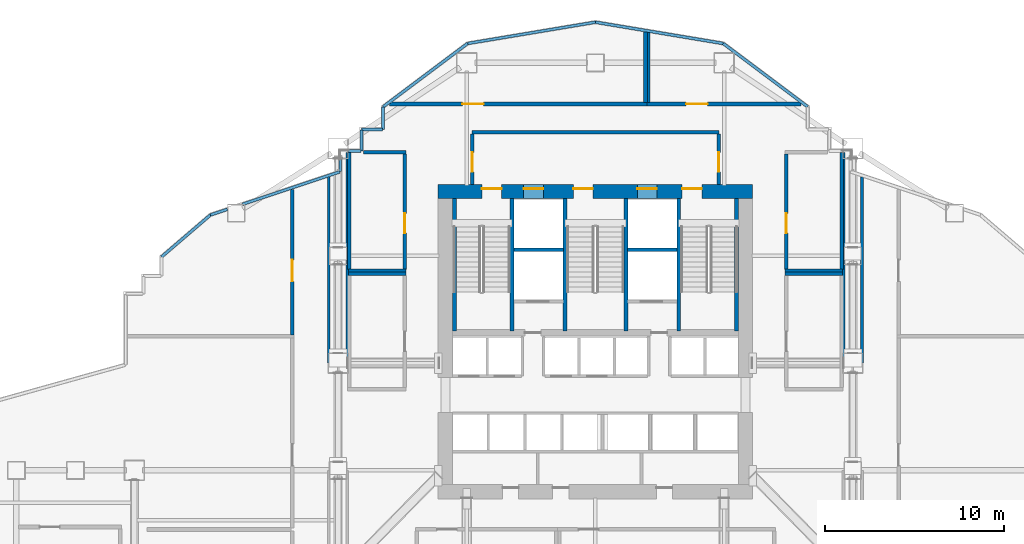
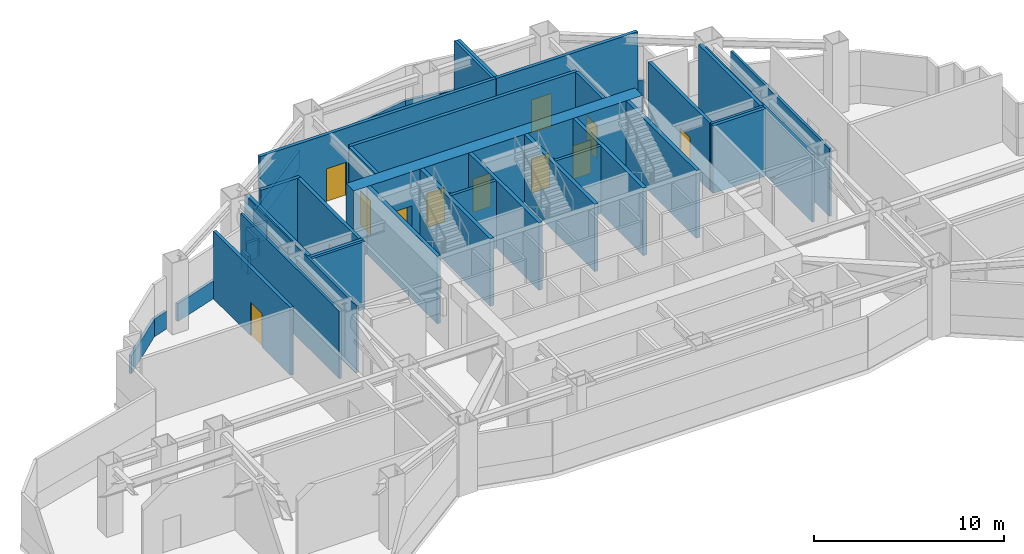
# One storey, part 15 of 23: 42 walls, 12 doors, 12 openings.
"""IFC4 building model written with IfcOpenShell, lengths in metres."""

from ifc_helpers import new_model, si_unit, direction, frame, frame_2d, origin, place, context, subcontext, project, spatial, rectangle, extrude, material, layer, layer_set, type_object, element, fill, save


model = new_model("IFC4")

# Units and contexts
model_context = context("Model", 3, precision=1e-05, world=origin(), true_north=direction((0.0, 1.0)))
body_context = subcontext(model_context, "Body", "Model", "MODEL_VIEW")
ifc_project = project(units=[si_unit("LENGTHUNIT", "METRE"), si_unit("AREAUNIT", "SQUARE_METRE"), si_unit("VOLUMEUNIT", "CUBIC_METRE"), si_unit("PLANEANGLEUNIT", "RADIAN"), si_unit("MASSUNIT", "GRAM", prefix="KILO")], contexts=[model_context])

# Site, building, storey
site_placement = place(None, origin())
site = spatial("IfcSite", under=ifc_project, at=site_placement, CompositionType="ELEMENT")
building_placement = place(site_placement, origin())
building = spatial("IfcBuilding", under=site, at=building_placement, Name="Haolan Belvedere Tower", CompositionType="ELEMENT")
storey_placement = place(building_placement, frame((0.0, 0.0, 89.39990234375)))
storey = spatial("IfcBuildingStorey", under=building, at=storey_placement, Name="L22", CompositionType="ELEMENT", Elevation=89.39990234375)

# Wall, openings, doors
ifc_material_1 = material(Name="Concrete C70/85", Category="concrete")
ifc_layer_1 = layer(ifc_material_1, 0.800048828125, Name="Concrete C70/85")
ifc_layer_set_1 = layer_set([ifc_layer_1], Name="Concrete C70/85")
wall_type_1 = type_object("IfcWallType", Name="WL-CORE-800", PredefinedType="SHEAR", material=ifc_layer_set_1)
wall_1_placement = place(storey_placement, frame((29.60009765625, 43.199951171875, 0.0), z_axis=(0.0, 0.0, 1.0), x_axis=(1.0, 0.0, 0.0)))
wall_1 = element("IfcWall", 1, at=wall_1_placement, inside=storey, type_object=wall_type_1, Name="L22 central core north shear wall", PredefinedType="SHEAR", context=body_context, shape_type="SweptSolid", body=[
    extrude(rectangle(XDim=17.599853515625, YDim=0.800048828125, at=frame_2d((8.7998046875, 0.0))), origin(), (0.0, 0.0, 1.0), 4.35009765625),
])
opening_1_placement = place(wall_1_placement, frame((2.449951171875, 0.0, 0.0)))
opening_1 = element("IfcOpeningElement", 2, at=opening_1_placement, cuts=wall_1, Name="Opening FD-03", PredefinedType="OPENING", context=body_context, shape_type="SweptSolid", body=[
    extrude(rectangle(XDim=1.10009765625, YDim=2.14990234375, at=frame_2d((0.550048828125, 1.074951171875))), frame((0.0, 0.409912109375, 0.0), z_axis=(0.0, -1.0, 0.0), x_axis=(1.0, 0.0, 0.0)), (0.0, 0.0, 1.0), 0.820068359375),
])
opening_2_placement = place(wall_1_placement, frame((7.56005859375, 0.0, 0.0)))
opening_2 = element("IfcOpeningElement", 3, at=opening_2_placement, cuts=wall_1, Name="Opening FD-03", PredefinedType="OPENING", context=body_context, shape_type="SweptSolid", body=[
    extrude(rectangle(XDim=1.10009765625, YDim=2.14990234375, at=frame_2d((0.550048828125, 1.074951171875))), frame((0.0, 0.409912109375, 0.0), z_axis=(0.0, -1.0, 0.0), x_axis=(1.0, 0.0, 0.0)), (0.0, 0.0, 1.0), 0.820068359375),
])
opening_3_placement = place(wall_1_placement, frame((13.64990234375, 0.0, 0.0)))
opening_3 = element("IfcOpeningElement", 4, at=opening_3_placement, cuts=wall_1, Name="Opening FD-03", PredefinedType="OPENING", context=body_context, shape_type="SweptSolid", body=[
    extrude(rectangle(XDim=1.10009765625, YDim=2.14990234375, at=frame_2d((0.550048828125, 1.074951171875))), frame((0.0, 0.409912109375, 0.0), z_axis=(0.0, -1.0, 0.0), x_axis=(1.0, 0.0, 0.0)), (0.0, 0.0, 1.0), 0.820068359375),
])
opening_4_placement = place(wall_1_placement, frame((4.780029296875, 0.0, 0.0)))
opening_4 = element("IfcOpeningElement", 5, at=opening_4_placement, cuts=wall_1, Name="Opening LD-01", PredefinedType="OPENING", context=body_context, shape_type="SweptSolid", body=[
    extrude(rectangle(XDim=1.10009765625, YDim=2.199951171875, at=frame_2d((0.550048828125, 1.10009765625))), frame((0.0, 0.409912109375, 0.0), z_axis=(0.0, -1.0, 0.0), x_axis=(1.0, 0.0, 0.0)), (0.0, 0.0, 1.0), 0.820068359375),
])
opening_5_placement = place(wall_1_placement, frame((11.139892578125, 0.0, 0.0)))
opening_5 = element("IfcOpeningElement", 6, at=opening_5_placement, cuts=wall_1, Name="Opening LD-01", PredefinedType="OPENING", context=body_context, shape_type="SweptSolid", body=[
    extrude(rectangle(XDim=1.10009765625, YDim=2.199951171875, at=frame_2d((0.550048828125, 1.10009765625))), frame((0.0, 0.409912109375, 0.0), z_axis=(0.0, -1.0, 0.0), x_axis=(1.0, 0.0, 0.0)), (0.0, 0.0, 1.0), 0.820068359375),
])
ifc_material_2 = material(Name="Galvanised fire-rated steel", Category="steel")
door_type_1 = type_object("IfcDoorType", Name="DR-FD90-1100", OperationType="NOTDEFINED", PredefinedType="DOOR", material=ifc_material_2)
door_1_placement = place(opening_1_placement, origin())
door_1 = element("IfcDoor", 7, at=door_1_placement, inside=storey, type_object=door_type_1, Name="L22 door CD-L22-ST1", OperationType="SINGLE_SWING_LEFT", OverallHeight=2.14990234375, OverallWidth=1.10009765625, PredefinedType="DOOR", context=body_context, shape_type="SweptSolid", body=[
    extrude(rectangle(XDim=1.10009765625, YDim=2.14990234375, at=frame_2d((0.550048828125, 1.074951171875))), frame((0.0, 0.18505859375, 0.0), z_axis=(0.0, -1.0, 0.0), x_axis=(1.0, 0.0, 0.0)), (0.0, 0.0, 1.0), 0.050048828125),
])
fill(opening_1, door_1)
door_2_placement = place(opening_2_placement, origin())
door_2 = element("IfcDoor", 8, at=door_2_placement, inside=storey, type_object=door_type_1, Name="L22 door CD-L22-ST3", OperationType="SINGLE_SWING_LEFT", OverallHeight=2.14990234375, OverallWidth=1.10009765625, PredefinedType="DOOR", context=body_context, shape_type="SweptSolid", body=[
    extrude(rectangle(XDim=1.10009765625, YDim=2.14990234375, at=frame_2d((0.550048828125, 1.074951171875))), frame((0.0, 0.18505859375, 0.0), z_axis=(0.0, -1.0, 0.0), x_axis=(1.0, 0.0, 0.0)), (0.0, 0.0, 1.0), 0.050048828125),
])
fill(opening_2, door_2)
door_3_placement = place(opening_3_placement, origin())
door_3 = element("IfcDoor", 9, at=door_3_placement, inside=storey, type_object=door_type_1, Name="L22 door CD-L22-ST2", OperationType="SINGLE_SWING_RIGHT", OverallHeight=2.14990234375, OverallWidth=1.10009765625, PredefinedType="DOOR", context=body_context, shape_type="SweptSolid", body=[
    extrude(rectangle(XDim=1.10009765625, YDim=2.14990234375, at=frame_2d((0.550048828125, 1.074951171875))), frame((0.0, 0.18505859375, 0.0), z_axis=(0.0, -1.0, 0.0), x_axis=(1.0, 0.0, 0.0)), (0.0, 0.0, 1.0), 0.050048828125),
])
fill(opening_3, door_3)
ifc_material_3 = material(Name="Brushed champagne stainless steel 316L", Category="steel")
door_type_2 = type_object("IfcDoorType", Name="DR-LIFT-1100", OperationType="SLIDING_TO_LEFT", PredefinedType="DOOR", material=ifc_material_3)
door_4_placement = place(opening_4_placement, origin())
door_4 = element("IfcDoor", 10, at=door_4_placement, inside=storey, type_object=door_type_2, Name="L22 door LD-L22-FF1", OperationType="SLIDING_TO_LEFT", OverallHeight=2.199951171875, OverallWidth=1.10009765625, PredefinedType="DOOR", context=body_context, shape_type="SweptSolid", body=[
    extrude(rectangle(XDim=1.10009765625, YDim=2.199951171875, at=frame_2d((0.550048828125, 1.10009765625))), frame((0.0, 0.18505859375, 0.0), z_axis=(0.0, -1.0, 0.0), x_axis=(1.0, 0.0, 0.0)), (0.0, 0.0, 1.0), 0.050048828125),
])
fill(opening_4, door_4)
door_5_placement = place(opening_5_placement, origin())
door_5 = element("IfcDoor", 11, at=door_5_placement, inside=storey, type_object=door_type_2, Name="L22 door LD-L22-FF2", OperationType="SLIDING_TO_LEFT", OverallHeight=2.199951171875, OverallWidth=1.10009765625, PredefinedType="DOOR", context=body_context, shape_type="SweptSolid", body=[
    extrude(rectangle(XDim=1.10009765625, YDim=2.199951171875, at=frame_2d((0.550048828125, 1.10009765625))), frame((0.0, 0.18505859375, 0.0), z_axis=(0.0, -1.0, 0.0), x_axis=(1.0, 0.0, 0.0)), (0.0, 0.0, 1.0), 0.050048828125),
])
fill(opening_5, door_5)

# Wall
ifc_material_4 = material(Name="Concrete C40/50", Category="concrete")
ifc_layer_2 = layer(ifc_material_4, 0.199951171875, Name="Concrete C40/50")
ifc_layer_set_2 = layer_set([ifc_layer_2], Name="Concrete C40/50")
wall_type_2 = type_object("IfcWallType", Name="WL-FIRE-200", PredefinedType="SOLIDWALL", material=ifc_layer_set_2)
wall_2_placement = place(storey_placement, frame((31.5, 46.52001953125, 0.0), z_axis=(0.0, 0.0, 1.0), x_axis=(1.0, 0.0, 0.0)))
element("IfcWall", 12, at=wall_2_placement, inside=storey, type_object=wall_type_2, Name="L22 interior partition IW-L22-FFL-N", PredefinedType="SOLIDWALL", context=body_context, shape_type="SweptSolid", body=[
    extrude(rectangle(XDim=13.800048828125, YDim=0.199951171875, at=frame_2d((6.89990234375, 0.0))), origin(), (0.0, 0.0, 1.0), 4.35009765625),
])

# Wall, opening, door
wall_3_placement = place(storey_placement, frame((31.5, 43.60009765625, 0.0), z_axis=(0.0, 0.0, 1.0), x_axis=(0.0, 1.0, 0.0)))
wall_3 = element("IfcWall", 13, at=wall_3_placement, inside=storey, type_object=wall_type_2, Name="L22 interior partition IW-L22-FFL-W", PredefinedType="SOLIDWALL", context=body_context, shape_type="SweptSolid", body=[
    extrude(rectangle(XDim=2.8349609375, YDim=0.199951171875, at=frame_2d((1.41748046875, 0.0))), origin(), (0.0, 0.0, 1.0), 4.35009765625),
])
opening_6_placement = place(wall_3_placement, frame((1.800048828125, 0.0, 0.0), z_axis=(0.0, 0.0, 1.0), x_axis=(-1.0, 0.0, 0.0)))
opening_6 = element("IfcOpeningElement", 14, at=opening_6_placement, cuts=wall_3, Name="Opening FD-03", PredefinedType="OPENING", context=body_context, shape_type="SweptSolid", body=[
    extrude(rectangle(XDim=1.10009765625, YDim=2.14990234375, at=frame_2d((0.550048828125, 1.074951171875))), frame((0.0, 0.10986328125, 0.0), z_axis=(0.0, -1.0, 0.0), x_axis=(1.0, 0.0, 0.0)), (0.0, 0.0, 1.0), 0.219970703125),
])
door_6_placement = place(opening_6_placement, origin())
door_6 = element("IfcDoor", 15, at=door_6_placement, inside=storey, type_object=door_type_1, Name="L22 door ID-L22-FFL-DW", OperationType="SINGLE_SWING_LEFT", OverallHeight=2.14990234375, OverallWidth=1.10009765625, PredefinedType="DOOR", context=body_context, shape_type="SweptSolid", body=[
    extrude(rectangle(XDim=1.10009765625, YDim=2.14990234375, at=frame_2d((0.550048828125, 1.074951171875))), frame((0.0, 0.02490234375, 0.0), z_axis=(0.0, -1.0, 0.0), x_axis=(1.0, 0.0, 0.0)), (0.0, 0.0, 1.0), 0.050048828125),
])
fill(opening_6, door_6)

wall_4_placement = place(storey_placement, frame((45.300048828125, 43.60009765625, 0.0), z_axis=(0.0, 0.0, 1.0), x_axis=(0.0, 1.0, 0.0)))
wall_4 = element("IfcWall", 16, at=wall_4_placement, inside=storey, type_object=wall_type_2, Name="L22 interior partition IW-L22-FFL-E", PredefinedType="SOLIDWALL", context=body_context, shape_type="SweptSolid", body=[
    extrude(rectangle(XDim=2.8349609375, YDim=0.199951171875, at=frame_2d((1.41748046875, 0.0))), origin(), (0.0, 0.0, 1.0), 4.35009765625),
])
opening_7_placement = place(wall_4_placement, frame((0.699951171875, 0.0, 0.0)))
opening_7 = element("IfcOpeningElement", 17, at=opening_7_placement, cuts=wall_4, Name="Opening FD-03", PredefinedType="OPENING", context=body_context, shape_type="SweptSolid", body=[
    extrude(rectangle(XDim=1.10009765625, YDim=2.14990234375, at=frame_2d((0.550048828125, 1.074951171875))), frame((0.0, 0.10986328125, 0.0), z_axis=(0.0, -1.0, 0.0), x_axis=(1.0, 0.0, 0.0)), (0.0, 0.0, 1.0), 0.219970703125),
])
door_7_placement = place(opening_7_placement, origin())
door_7 = element("IfcDoor", 18, at=door_7_placement, inside=storey, type_object=door_type_1, Name="L22 door ID-L22-FFL-DE", OperationType="SINGLE_SWING_RIGHT", OverallHeight=2.14990234375, OverallWidth=1.10009765625, PredefinedType="DOOR", context=body_context, shape_type="SweptSolid", body=[
    extrude(rectangle(XDim=1.10009765625, YDim=2.14990234375, at=frame_2d((0.550048828125, 1.074951171875))), frame((0.0, 0.02490234375, 0.0), z_axis=(0.0, -1.0, 0.0), x_axis=(1.0, 0.0, 0.0)), (0.0, 0.0, 1.0), 0.050048828125),
])
fill(opening_7, door_7)

wall_5_placement = place(storey_placement, frame((21.43994140625, 35.18505859375, 0.0), z_axis=(0.0, 0.0, 1.0), x_axis=(0.0, 1.0, 0.0)))
wall_5 = element("IfcWall", 19, at=wall_5_placement, inside=storey, type_object=wall_type_2, Name="L22 interior partition IW-L22-REF-W2-E", PredefinedType="SOLIDWALL", context=body_context, shape_type="SweptSolid", body=[
    extrude(rectangle(XDim=8.13818359375, YDim=0.199951171875, at=frame_2d((4.069091796875, 0.0))), origin(), (0.0, 0.0, 1.0), 4.35009765625),
])
opening_8_placement = place(wall_5_placement, frame((4.195068359375, 0.0, 0.0), z_axis=(0.0, 0.0, 1.0), x_axis=(-1.0, 0.0, 0.0)))
opening_8 = element("IfcOpeningElement", 20, at=opening_8_placement, cuts=wall_5, Name="Opening FD-02", PredefinedType="OPENING", context=body_context, shape_type="SweptSolid", body=[
    extrude(rectangle(XDim=1.199951171875, YDim=2.14990234375, at=frame_2d((0.60009765625, 1.074951171875))), frame((0.0, 0.10986328125, 0.0), z_axis=(0.0, -1.0, 0.0), x_axis=(1.0, 0.0, 0.0)), (0.0, 0.0, 1.0), 0.219970703125),
])
door_type_3 = type_object("IfcDoorType", Name="DR-FD90-1200", OperationType="NOTDEFINED", PredefinedType="DOOR", material=ifc_material_2)
door_8_placement = place(opening_8_placement, origin())
door_8 = element("IfcDoor", 21, at=door_8_placement, inside=storey, type_object=door_type_3, Name="L22 door ID-L22-REF-W2", OperationType="SINGLE_SWING_RIGHT", OverallHeight=2.14990234375, OverallWidth=1.199951171875, PredefinedType="DOOR", context=body_context, shape_type="SweptSolid", body=[
    extrude(rectangle(XDim=1.199951171875, YDim=2.14990234375, at=frame_2d((0.60009765625, 1.074951171875))), frame((0.0, 0.02490234375, 0.0), z_axis=(0.0, -1.0, 0.0), x_axis=(1.0, 0.0, 0.0)), (0.0, 0.0, 1.0), 0.050048828125),
])
fill(opening_8, door_8)

# Walls
wall_6_placement = place(storey_placement, frame((24.580078125, 38.60009765625, 0.0), z_axis=(0.0, 0.0, 1.0), x_axis=(1.0, 0.0, 0.0)))
element("IfcWall", 22, at=wall_6_placement, inside=storey, type_object=wall_type_2, Name="L22 interior partition IW-L22-REF-WI1-N", PredefinedType="SOLIDWALL", context=body_context, shape_type="SweptSolid", body=[
    extrude(rectangle(XDim=3.219970703125, YDim=0.199951171875, at=frame_2d((1.60986328125, 0.0))), origin(), (0.0, 0.0, 1.0), 4.35009765625),
])
wall_7_placement = place(storey_placement, frame((25.412109375, 45.39990234375, 0.0), z_axis=(0.0, 0.0, 1.0), x_axis=(1.0, 0.0, 0.0)))
element("IfcWall", 23, at=wall_7_placement, inside=storey, type_object=wall_type_2, Name="L22 interior partition IW-L22-REF-WI2-N", PredefinedType="SOLIDWALL", context=body_context, shape_type="SweptSolid", body=[
    extrude(rectangle(XDim=2.387939453125, YDim=0.199951171875, at=frame_2d((1.19384765625, 0.0))), origin(), (0.0, 0.0, 1.0), 4.35009765625),
])
wall_8_placement = place(storey_placement, frame((24.580078125, 38.760009765625, 0.0), z_axis=(0.0, 0.0, 1.0), x_axis=(1.0, 0.0, 0.0)))
element("IfcWall", 24, at=wall_8_placement, inside=storey, type_object=wall_type_2, Name="L22 interior partition IW-L22-REF-WI2-S", PredefinedType="SOLIDWALL", context=body_context, shape_type="SweptSolid", body=[
    extrude(rectangle(XDim=3.219970703125, YDim=0.199951171875, at=frame_2d((1.60986328125, 0.0))), origin(), (0.0, 0.0, 1.0), 4.35009765625),
])
wall_9_placement = place(storey_placement, frame((24.6201171875, 38.844970703125, 0.0), z_axis=(0.0, 0.0, 1.0), x_axis=(0.0, 1.0, 0.0)))
element("IfcWall", 25, at=wall_9_placement, inside=storey, type_object=wall_type_2, Name="L22 interior partition IW-L22-REF-WI2-W", PredefinedType="SOLIDWALL", context=body_context, shape_type="SweptSolid", body=[
    extrude(rectangle(XDim=6.54296875, YDim=0.199951171875, at=frame_2d((3.271484375, 0.0))), origin(), (0.0, 0.0, 1.0), 4.35009765625),
])

# Wall, opening, door
wall_10_placement = place(storey_placement, frame((27.719970703125, 38.844970703125, 0.0), z_axis=(0.0, 0.0, 1.0), x_axis=(0.0, 1.0, 0.0)))
wall_10 = element("IfcWall", 26, at=wall_10_placement, inside=storey, type_object=wall_type_2, Name="L22 interior partition IW-L22-REF-WI2-E", PredefinedType="SOLIDWALL", context=body_context, shape_type="SweptSolid", body=[
    extrude(rectangle(XDim=6.469970703125, YDim=0.199951171875, at=frame_2d((3.23486328125, 0.0))), origin(), (0.0, 0.0, 1.0), 4.35009765625),
])
opening_9_placement = place(wall_10_placement, frame((3.135009765625, 0.0, 0.0), z_axis=(0.0, 0.0, 1.0), x_axis=(-1.0, 0.0, 0.0)))
opening_9 = element("IfcOpeningElement", 27, at=opening_9_placement, cuts=wall_10, Name="Opening FD-03", PredefinedType="OPENING", context=body_context, shape_type="SweptSolid", body=[
    extrude(rectangle(XDim=1.10009765625, YDim=2.14990234375, at=frame_2d((0.550048828125, 1.074951171875))), frame((0.0, 0.10986328125, 0.0), z_axis=(0.0, -1.0, 0.0), x_axis=(1.0, 0.0, 0.0)), (0.0, 0.0, 1.0), 0.219970703125),
])
door_9_placement = place(opening_9_placement, origin())
door_9 = element("IfcDoor", 28, at=door_9_placement, inside=storey, type_object=door_type_1, Name="L22 door ID-L22-REF-WI2", OperationType="SINGLE_SWING_RIGHT", OverallHeight=2.14990234375, OverallWidth=1.10009765625, PredefinedType="DOOR", context=body_context, shape_type="SweptSolid", body=[
    extrude(rectangle(XDim=1.10009765625, YDim=2.14990234375, at=frame_2d((0.550048828125, 1.074951171875))), frame((0.0, 0.02490234375, 0.0), z_axis=(0.0, -1.0, 0.0), x_axis=(1.0, 0.0, 0.0)), (0.0, 0.0, 1.0), 0.050048828125),
])
fill(opening_9, door_9)

# Walls
for number, where, z_axis, x_axis, name in (
    (29, (49.0, 38.60009765625, 0.0), (0.0, 0.0, 1.0), (1.0, 0.0, 0.0), "L22 interior partition IW-L22-REF-EI1-N"),
    (30, (49.0, 38.760009765625, 0.0), (0.0, 0.0, 1.0), (1.0, 0.0, 0.0), "L22 interior partition IW-L22-REF-EI2-S"),
):
    element("IfcWall", number, at=place(storey_placement, frame(where, z_axis=z_axis, x_axis=x_axis)), inside=storey, type_object=wall_type_2, Name=name, PredefinedType="SOLIDWALL", context=body_context, shape_type="SweptSolid", body=[
        extrude(rectangle(XDim=3.219970703125, YDim=0.199951171875, at=frame_2d((1.60986328125, 0.0))), origin(), (0.0, 0.0, 1.0), 4.35009765625),
    ])

# Wall, opening, door
wall_11_placement = place(storey_placement, frame((49.080078125, 38.844970703125, 0.0), z_axis=(0.0, 0.0, 1.0), x_axis=(0.0, 1.0, 0.0)))
wall_11 = element("IfcWall", 31, at=wall_11_placement, inside=storey, type_object=wall_type_2, Name="L22 interior partition IW-L22-REF-EI2-W", PredefinedType="SOLIDWALL", context=body_context, shape_type="SweptSolid", body=[
    extrude(rectangle(XDim=6.469970703125, YDim=0.199951171875, at=frame_2d((3.23486328125, 0.0))), origin(), (0.0, 0.0, 1.0), 4.35009765625),
])
opening_10_placement = place(wall_11_placement, frame((2.034912109375, 0.0, 0.0)))
opening_10 = element("IfcOpeningElement", 32, at=opening_10_placement, cuts=wall_11, Name="Opening FD-03", PredefinedType="OPENING", context=body_context, shape_type="SweptSolid", body=[
    extrude(rectangle(XDim=1.10009765625, YDim=2.14990234375, at=frame_2d((0.550048828125, 1.074951171875))), frame((0.0, 0.10986328125, 0.0), z_axis=(0.0, -1.0, 0.0), x_axis=(1.0, 0.0, 0.0)), (0.0, 0.0, 1.0), 0.219970703125),
])
door_10_placement = place(opening_10_placement, origin())
door_10 = element("IfcDoor", 33, at=door_10_placement, inside=storey, type_object=door_type_1, Name="L22 door ID-L22-REF-EI2", OperationType="SINGLE_SWING_LEFT", OverallHeight=2.14990234375, OverallWidth=1.10009765625, PredefinedType="DOOR", context=body_context, shape_type="SweptSolid", body=[
    extrude(rectangle(XDim=1.10009765625, YDim=2.14990234375, at=frame_2d((0.550048828125, 1.074951171875))), frame((0.0, 0.02490234375, 0.0), z_axis=(0.0, -1.0, 0.0), x_axis=(1.0, 0.0, 0.0)), (0.0, 0.0, 1.0), 0.050048828125),
])
fill(opening_10, door_10)

# Wall
wall_12_placement = place(storey_placement, frame((52.179931640625, 38.844970703125, 0.0), z_axis=(0.0, 0.0, 1.0), x_axis=(0.0, 1.0, 0.0)))
element("IfcWall", 34, at=wall_12_placement, inside=storey, type_object=wall_type_2, Name="L22 interior partition IW-L22-REF-EI2-E", PredefinedType="SOLIDWALL", context=body_context, shape_type="SweptSolid", body=[
    extrude(rectangle(XDim=6.54296875, YDim=0.199951171875, at=frame_2d((3.271484375, 0.0))), origin(), (0.0, 0.0, 1.0), 4.35009765625),
])

# Wall, opening, door
wall_13_placement = place(storey_placement, frame((26.88671875, 48.10009765625, 0.0), z_axis=(0.0, 0.0, 1.0), x_axis=(1.0, 0.0, 0.0)))
wall_13 = element("IfcWall", 35, at=wall_13_placement, inside=storey, type_object=wall_type_2, Name="L22 interior partition IW-L22-REF-NW-S", PredefinedType="SOLIDWALL", context=body_context, shape_type="SweptSolid", body=[
    extrude(rectangle(XDim=14.393310546875, YDim=0.199951171875, at=frame_2d((7.19677734375, 0.0))), origin(), (0.0, 0.0, 1.0), 4.35009765625),
])
opening_11_placement = place(wall_13_placement, frame((4.063232421875, 0.0, 0.0)))
opening_11 = element("IfcOpeningElement", 36, at=opening_11_placement, cuts=wall_13, Name="Opening FD-02", PredefinedType="OPENING", context=body_context, shape_type="SweptSolid", body=[
    extrude(rectangle(XDim=1.199951171875, YDim=2.14990234375, at=frame_2d((0.60009765625, 1.074951171875))), frame((0.0, 0.10986328125, 0.0), z_axis=(0.0, -1.0, 0.0), x_axis=(1.0, 0.0, 0.0)), (0.0, 0.0, 1.0), 0.219970703125),
])
door_11_placement = place(opening_11_placement, origin())
door_11 = element("IfcDoor", 37, at=door_11_placement, inside=storey, type_object=door_type_3, Name="L22 door ID-L22-REF-NW", OperationType="SINGLE_SWING_LEFT", OverallHeight=2.14990234375, OverallWidth=1.199951171875, PredefinedType="DOOR", context=body_context, shape_type="SweptSolid", body=[
    extrude(rectangle(XDim=1.199951171875, YDim=2.14990234375, at=frame_2d((0.60009765625, 1.074951171875))), frame((0.0, 0.02490234375, 0.0), z_axis=(0.0, -1.0, 0.0), x_axis=(1.0, 0.0, 0.0)), (0.0, 0.0, 1.0), 0.050048828125),
])
fill(opening_11, door_11)

# Wall
wall_14_placement = place(storey_placement, frame((41.199951171875, 48.18505859375, 0.0), z_axis=(0.0, 0.0, 1.0), x_axis=(0.0, 1.0, 0.0)))
element("IfcWall", 38, at=wall_14_placement, inside=storey, type_object=wall_type_2, Name="L22 interior partition IW-L22-REF-NW-E", PredefinedType="SOLIDWALL", context=body_context, shape_type="SweptSolid", body=[
    extrude(rectangle(XDim=3.933349609375, YDim=0.199951171875, at=frame_2d((1.966796875, 0.0))), origin(), (0.0, 0.0, 1.0), 4.35009765625),
])

# Wall, opening, door
wall_15_placement = place(storey_placement, frame((41.284912109375, 48.10009765625, 0.0), z_axis=(0.0, 0.0, 1.0), x_axis=(1.0, 0.0, 0.0)))
wall_15 = element("IfcWall", 39, at=wall_15_placement, inside=storey, type_object=wall_type_2, Name="L22 interior partition IW-L22-REF-NE-S", PredefinedType="SOLIDWALL", context=body_context, shape_type="SweptSolid", body=[
    extrude(rectangle(XDim=8.62841796875, YDim=0.199951171875, at=frame_2d((4.314208984375, 0.0))), origin(), (0.0, 0.0, 1.0), 4.35009765625),
])
opening_12_placement = place(wall_15_placement, frame((2.195068359375, 0.0, 0.0)))
opening_12 = element("IfcOpeningElement", 40, at=opening_12_placement, cuts=wall_15, Name="Opening FD-02", PredefinedType="OPENING", context=body_context, shape_type="SweptSolid", body=[
    extrude(rectangle(XDim=1.199951171875, YDim=2.14990234375, at=frame_2d((0.60009765625, 1.074951171875))), frame((0.0, 0.10986328125, 0.0), z_axis=(0.0, -1.0, 0.0), x_axis=(1.0, 0.0, 0.0)), (0.0, 0.0, 1.0), 0.219970703125),
])
door_12_placement = place(opening_12_placement, origin())
door_12 = element("IfcDoor", 41, at=door_12_placement, inside=storey, type_object=door_type_3, Name="L22 door ID-L22-REF-NE", OperationType="SINGLE_SWING_RIGHT", OverallHeight=2.14990234375, OverallWidth=1.199951171875, PredefinedType="DOOR", context=body_context, shape_type="SweptSolid", body=[
    extrude(rectangle(XDim=1.199951171875, YDim=2.14990234375, at=frame_2d((0.60009765625, 1.074951171875))), frame((0.0, 0.02490234375, 0.0), z_axis=(0.0, -1.0, 0.0), x_axis=(1.0, 0.0, 0.0)), (0.0, 0.0, 1.0), 0.050048828125),
])
fill(opening_12, door_12)

# Walls
wall_16_placement = place(storey_placement, frame((41.360107421875, 48.18505859375, 0.0), z_axis=(0.0, 0.0, 1.0), x_axis=(0.0, 1.0, 0.0)))
element("IfcWall", 42, at=wall_16_placement, inside=storey, type_object=wall_type_2, Name="L22 interior partition IW-L22-REF-NE-W", PredefinedType="SOLIDWALL", context=body_context, shape_type="SweptSolid", body=[
    extrude(rectangle(XDim=3.90673828125, YDim=0.199951171875, at=frame_2d((1.953369140625, 0.0))), origin(), (0.0, 0.0, 1.0), 4.35009765625),
])
ifc_material_5 = material(Name="Precast concrete C40/50", Category="concrete")
ifc_layer_3 = layer(ifc_material_5, 0.159912109375, Name="Precast concrete C40/50")
ifc_layer_set_3 = layer_set([ifc_layer_3], Name="Precast concrete C40/50")
wall_type_3 = type_object("IfcWallType", Name="WL-PAR-160", PredefinedType="PARAPET", material=ifc_layer_set_3)
wall_17_placement = place(storey_placement, frame((50.26806640625, 47.948974609375, 0.0), z_axis=(0.0, 0.0, 1.0), x_axis=(-0.800004969205, 0.599993374337, 0.0)))
element("IfcWall", 43, at=wall_17_placement, inside=storey, type_object=wall_type_3, Name="L22 refuge open-band parapet 41.1", PredefinedType="PARAPET", context=body_context, shape_type="SweptSolid", body=[
    extrude(rectangle(XDim=5.895751953125, YDim=0.159912109375, at=frame_2d((2.94775390625, 0.0))), origin(), (0.0, 0.0, 1.0), 1.150146484375),
])
wall_18_placement = place(storey_placement, frame((45.551513671875, 51.486328125, 0.0), z_axis=(0.0, 0.0, 1.0), x_axis=(-0.986394833909, 0.164393526752, 0.0)))
element("IfcWall", 44, at=wall_18_placement, inside=storey, type_object=wall_type_3, Name="L22 refuge open-band parapet 42.1", PredefinedType="PARAPET", context=body_context, shape_type="SweptSolid", body=[
    extrude(rectangle(XDim=7.250244140625, YDim=0.159912109375, at=frame_2d((3.625, 0.0))), origin(), (0.0, 0.0, 1.0), 1.150146484375),
])
wall_19_placement = place(storey_placement, frame((38.39990234375, 52.67822265625, 0.0), z_axis=(0.0, 0.0, 1.0), x_axis=(-0.986393923832, -0.164398987305, 0.0)))
element("IfcWall", 45, at=wall_19_placement, inside=storey, type_object=wall_type_3, Name="L22 refuge open-band parapet 43.1", PredefinedType="PARAPET", context=body_context, shape_type="SweptSolid", body=[
    extrude(rectangle(XDim=7.25, YDim=0.159912109375, at=frame_2d((3.625, 0.0))), origin(), (0.0, 0.0, 1.0), 1.150146484375),
])
wall_20_placement = place(storey_placement, frame((31.24853515625, 51.486328125, 0.0), z_axis=(0.0, 0.0, 1.0), x_axis=(-0.8, -0.6, 0.0)))
element("IfcWall", 46, at=wall_20_placement, inside=storey, type_object=wall_type_3, Name="L22 refuge open-band parapet 44.1", PredefinedType="PARAPET", context=body_context, shape_type="SweptSolid", body=[
    extrude(rectangle(XDim=5.91064453125, YDim=0.159912109375, at=frame_2d((2.955322265625, 0.0))), origin(), (0.0, 0.0, 1.0), 1.150146484375),
])
wall_21_placement = place(storey_placement, frame((26.52001953125, 47.925048828125, 0.0), z_axis=(0.0, 0.0, 1.0), x_axis=(0.0, -1.0, 0.0)))
element("IfcWall", 47, at=wall_21_placement, inside=storey, type_object=wall_type_3, Name="L22 refuge open-band parapet 45.1", PredefinedType="PARAPET", context=body_context, shape_type="SweptSolid", body=[
    extrude(rectangle(XDim=1.2451171875, YDim=0.159912109375, at=frame_2d((0.62255859375, 0.0))), origin(), (0.0, 0.0, 1.0), 1.150146484375),
])
for number, where, z_axis, x_axis, name in (
    (48, (26.489990234375, 46.679931640625, 0.0), (0.0, 0.0, 1.0), (-1.0, 0.0, 0.0), "L22 refuge open-band parapet 46.1"),
    (49, (25.320068359375, 46.64990234375, 0.0), (0.0, 0.0, 1.0), (0.0, -1.0, 0.0), "L22 refuge open-band parapet 47.1"),
):
    element("IfcWall", number, at=place(storey_placement, frame(where, z_axis=z_axis, x_axis=x_axis)), inside=storey, type_object=wall_type_3, Name=name, PredefinedType="PARAPET", context=body_context, shape_type="SweptSolid", body=[
        extrude(rectangle(XDim=1.169921875, YDim=0.159912109375, at=frame_2d((0.5849609375, 0.0))), origin(), (0.0, 0.0, 1.0), 1.150146484375),
    ])
wall_22_placement = place(storey_placement, frame((25.2900390625, 45.47998046875, 0.0), z_axis=(0.0, 0.0, 1.0), x_axis=(-1.0, 0.0, 0.0)))
element("IfcWall", 50, at=wall_22_placement, inside=storey, type_object=wall_type_3, Name="L22 refuge open-band parapet 48.1", PredefinedType="PARAPET", context=body_context, shape_type="SweptSolid", body=[
    extrude(rectangle(XDim=0.72314453125, YDim=0.159912109375, at=frame_2d((0.361572265625, 0.0))), origin(), (0.0, 0.0, 1.0), 1.150146484375),
])
wall_23_placement = place(storey_placement, frame((24.1201171875, 45.032958984375, 0.0), z_axis=(0.0, 0.0, 1.0), x_axis=(0.0, -1.0, 0.0)))
element("IfcWall", 51, at=wall_23_placement, inside=storey, type_object=wall_type_3, Name="L22 refuge open-band parapet 49.1", PredefinedType="PARAPET", context=body_context, shape_type="SweptSolid", body=[
    extrude(rectangle(XDim=0.719482421875, YDim=0.159912109375, at=frame_2d((0.35986328125, 0.0))), origin(), (0.0, 0.0, 1.0), 1.150146484375),
])
wall_24_placement = place(storey_placement, frame((24.091552734375, 44.303955078125, 0.0), z_axis=(0.0, 0.0, 1.0), x_axis=(-0.948683298051, -0.316227766017, 0.0)))
element("IfcWall", 52, at=wall_24_placement, inside=storey, type_object=wall_type_3, Name="L22 refuge open-band parapet 50.1", PredefinedType="PARAPET", context=body_context, shape_type="SweptSolid", body=[
    extrude(rectangle(XDim=5.72998046875, YDim=0.159912109375, at=frame_2d((2.864990234375, 0.0))), origin(), (0.0, 0.0, 1.0), 1.150146484375),
])
wall_25_placement = place(storey_placement, frame((17.80810546875, 42.20947265625, 0.0), z_axis=(0.0, 0.0, 1.0), x_axis=(-0.948707727558, -0.316154468056, 0.0)))
element("IfcWall", 53, at=wall_25_placement, inside=storey, type_object=wall_type_3, Name="L22 refuge open-band parapet 50.2", PredefinedType="PARAPET", context=body_context, shape_type="SweptSolid", body=[
    extrude(rectangle(XDim=0.999267578125, YDim=0.159912109375, at=frame_2d((0.49951171875, 0.0))), origin(), (0.0, 0.0, 1.0), 1.150146484375),
])
wall_26_placement = place(storey_placement, frame((16.860107421875, 41.8935546875, 0.0), z_axis=(0.0, 0.0, 1.0), x_axis=(-0.759247051556, -0.650802515902, 0.0)))
element("IfcWall", 54, at=wall_26_placement, inside=storey, type_object=wall_type_3, Name="L22 refuge open-band parapet 51.1", PredefinedType="PARAPET", context=body_context, shape_type="SweptSolid", body=[
    extrude(rectangle(XDim=3.60888671875, YDim=0.159912109375, at=frame_2d((1.804443359375, 0.0))), origin(), (0.0, 0.0, 1.0), 1.150146484375),
])
ifc_material_6 = material(Name="Double gypsum acoustic stud partition", Category="masonry")
ifc_layer_4 = layer(ifc_material_6, 0.14990234375, Name="Double gypsum acoustic stud partition")
ifc_layer_set_4 = layer_set([ifc_layer_4], Name="Double gypsum acoustic stud partition")
wall_type_4 = type_object("IfcWallType", Name="WL-PART-150", PredefinedType="PARTITIONING", material=ifc_layer_set_4)
wall_27_placement = place(storey_placement, frame((24.52001953125, 33.60009765625, 0.0), z_axis=(0.0, 0.0, 1.0), x_axis=(0.0, 1.0, 0.0)))
element("IfcWall", 55, at=wall_27_placement, inside=storey, type_object=wall_type_4, Name="L22 interior partition IW-L22-CH-BTW3-1", PredefinedType="PARTITIONING", context=body_context, shape_type="SweptSolid", body=[
    extrude(rectangle(XDim=11.787841796875, YDim=0.14990234375, at=frame_2d((5.89404296875, 0.0))), origin(), (0.0, 0.0, 1.0), 4.35009765625),
])
for number, where, z_axis, x_axis, name in (
    (56, (23.47998046875, 33.60009765625, 0.0), (0.0, 0.0, 1.0), (0.0, 1.0, 0.0), "L22 interior partition IW-L22-CH-BTW3-2"),
    (57, (53.320068359375, 33.60009765625, 0.0), (0.0, 0.0, 1.0), (0.0, 1.0, 0.0), "L22 interior partition IW-L22-CH-BTE3-1"),
):
    element("IfcWall", number, at=place(storey_placement, frame(where, z_axis=z_axis, x_axis=x_axis)), inside=storey, type_object=wall_type_4, Name=name, PredefinedType="PARTITIONING", context=body_context, shape_type="SweptSolid", body=[
        extrude(rectangle(XDim=10.403076171875, YDim=0.14990234375, at=frame_2d((5.20166015625, 0.0))), origin(), (0.0, 0.0, 1.0), 4.35009765625),
    ])
wall_28_placement = place(storey_placement, frame((52.280029296875, 33.60009765625, 0.0), z_axis=(0.0, 0.0, 1.0), x_axis=(0.0, 1.0, 0.0)))
element("IfcWall", 58, at=wall_28_placement, inside=storey, type_object=wall_type_4, Name="L22 interior partition IW-L22-CH-BTE3-2", PredefinedType="PARTITIONING", context=body_context, shape_type="SweptSolid", body=[
    extrude(rectangle(XDim=11.787841796875, YDim=0.14990234375, at=frame_2d((5.89404296875, 0.0))), origin(), (0.0, 0.0, 1.0), 4.35009765625),
])
ifc_layer_5 = layer(ifc_material_5, 0.179931640625, Name="Precast concrete C40/50")
ifc_layer_set_5 = layer_set([ifc_layer_5], Name="Precast concrete C40/50")
wall_type_5 = type_object("IfcWallType", Name="WL-SHAFT-180", PredefinedType="SOLIDWALL", material=ifc_layer_set_5)
for number, where, z_axis, x_axis, name in (
    (59, (33.8349609375, 39.949951171875, 0.0), (0.0, 0.0, 1.0), (1.0, 0.0, 0.0), "L22 interior partition IW-L22-FF1-S"),
    (60, (40.195068359375, 39.949951171875, 0.0), (0.0, 0.0, 1.0), (1.0, 0.0, 0.0), "L22 interior partition IW-L22-FF2-S"),
):
    element("IfcWall", number, at=place(storey_placement, frame(where, z_axis=z_axis, x_axis=x_axis)), inside=storey, type_object=wall_type_5, Name=name, PredefinedType="SOLIDWALL", context=body_context, shape_type="SweptSolid", body=[
        extrude(rectangle(XDim=2.77001953125, YDim=0.179931640625, at=frame_2d((1.385009765625, 0.0))), origin(), (0.0, 0.0, 1.0), 4.35009765625),
    ])
ifc_material_7 = material(Name="Concrete C50/60", Category="concrete")
ifc_layer_6 = layer(ifc_material_7, 0.219970703125, Name="Concrete C50/60")
ifc_layer_set_6 = layer_set([ifc_layer_6], Name="Concrete C50/60")
wall_type_6 = type_object("IfcWallType", Name="WL-STAIR-220", PredefinedType="SHEAR", material=ifc_layer_set_6)
for number, where, z_axis, x_axis, name in (
    (61, (30.511962890625, 35.389892578125, 0.0), (0.0, 0.0, 1.0), (0.0, 1.0, 0.0), "L22 structural stair core wall ST1W"),
    (62, (33.739990234375, 35.389892578125, 0.0), (0.0, 0.0, 1.0), (0.0, 1.0, 0.0), "L22 structural stair core wall ST1E"),
    (63, (36.699951171875, 35.389892578125, 0.0), (0.0, 0.0, 1.0), (0.0, 1.0, 0.0), "L22 structural stair core wall ST3W"),
    (64, (40.10009765625, 35.389892578125, 0.0), (0.0, 0.0, 1.0), (0.0, 1.0, 0.0), "L22 structural stair core wall ST3E"),
    (65, (43.06005859375, 35.389892578125, 0.0), (0.0, 0.0, 1.0), (0.0, 1.0, 0.0), "L22 structural stair core wall ST2W"),
    (66, (46.2880859375, 35.389892578125, 0.0), (0.0, 0.0, 1.0), (0.0, 1.0, 0.0), "L22 structural stair core wall ST2E"),
):
    element("IfcWall", number, at=place(storey_placement, frame(where, z_axis=z_axis, x_axis=x_axis)), inside=storey, type_object=wall_type_6, Name=name, PredefinedType="SHEAR", context=body_context, shape_type="SweptSolid", body=[
        extrude(rectangle(XDim=7.41015625, YDim=0.219970703125, at=frame_2d((3.705078125, 0.0))), origin(), (0.0, 0.0, 1.0), 4.35009765625),
    ])

save(model, "model.ifc")
